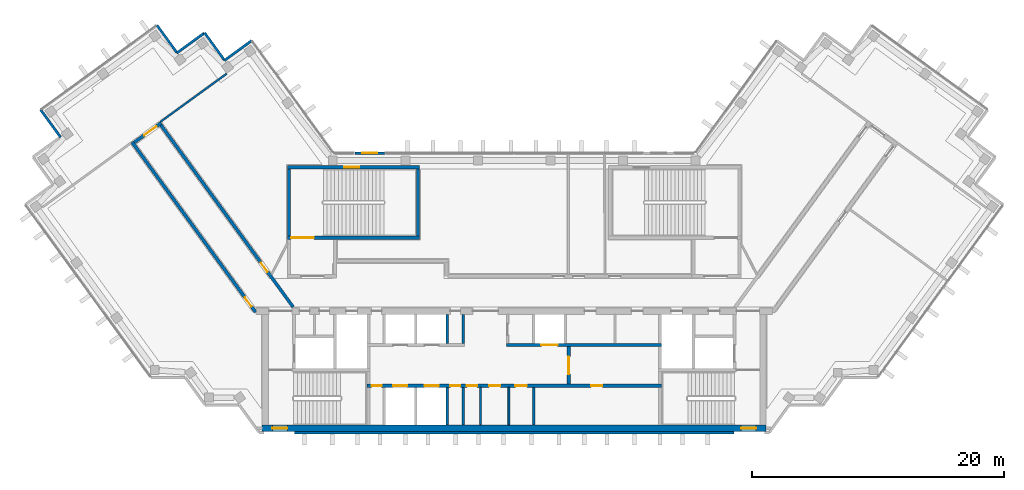
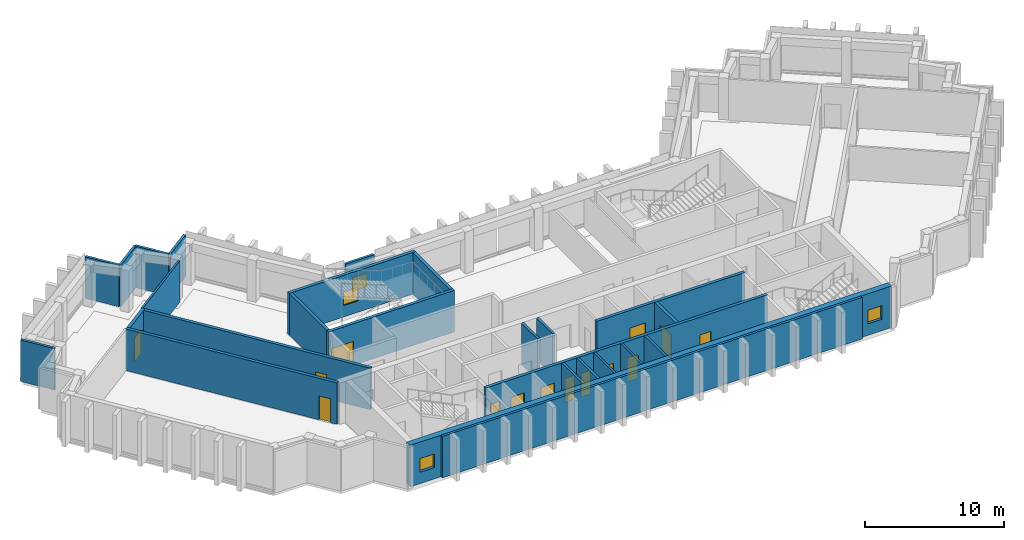
# One storey, part 4 of 8: 26 walls, 14 doors, 4 windows, 18 openings.
"""IFC4 building model written with IfcOpenShell, lengths in metres."""

from ifc_helpers import new_model, si_unit, direction, frame, frame_2d, origin, place, context, subcontext, project, spatial, rectangle, extrude, material, layer, layer_set, type_object, element, fill, save


model = new_model("IFC4")

# Units and contexts
model_context = context("Model", 3, precision=1e-05, world=origin(), true_north=direction((0.0, 1.0)))
body_context = subcontext(model_context, "Body", "Model", "MODEL_VIEW")
ifc_project = project(units=[si_unit("LENGTHUNIT", "METRE"), si_unit("AREAUNIT", "SQUARE_METRE"), si_unit("VOLUMEUNIT", "CUBIC_METRE"), si_unit("PLANEANGLEUNIT", "RADIAN"), si_unit("MASSUNIT", "GRAM", prefix="KILO")], contexts=[model_context])

# Site, building, storey
site_placement = place(None, origin())
site = spatial("IfcSite", under=ifc_project, at=site_placement, CompositionType="ELEMENT")
building_placement = place(site_placement, origin())
building = spatial("IfcBuilding", under=site, at=building_placement, Name="Quipu Civic Tower", CompositionType="ELEMENT")
storey_placement = place(building_placement, frame((0.0, 0.0, 343.0)))
storey = spatial("IfcBuildingStorey", under=building, at=storey_placement, Name="L80", CompositionType="ELEMENT", Elevation=343.0)

# Wall
ifc_material_1 = material(Name="Double gypsum plasterboard with mineral wool")
ifc_layer_1 = layer(ifc_material_1, 0.14990234375)
ifc_layer_set_1 = layer_set([ifc_layer_1], Name="Double gypsum plasterboard with mineral wool")
wall_type_1 = type_object("IfcWallType", Name="Acoustic partition 150 plasterboard", PredefinedType="PARTITIONING", material=ifc_layer_set_1)
wall_1_placement = place(storey_placement, frame((-22.818359375, 17.39599609375, 0.0), z_axis=(0.0, 0.0, 1.0), x_axis=(-0.809000932727, -0.587807358619, 0.0)))
element("IfcWall", 1, at=wall_1_placement, inside=storey, type_object=wall_type_1, Name="Partition P04", PredefinedType="PARTITIONING", context=body_context, shape_type="SweptSolid", body=[
    extrude(rectangle(XDim=6.49560546875, YDim=0.14990234375, at=frame_2d((3.247802734375, 0.0))), origin(), (0.0, 0.0, 1.0), 3.64990234375),
])

# Wall, openings, doors
ifc_material_2 = material(Name="Concrete C70/85", Category="concrete")
ifc_layer_2 = layer(ifc_material_2, 0.25)
ifc_layer_set_2 = layer_set([ifc_layer_2], Name="Concrete C70/85")
wall_type_2 = type_object("IfcWallType", Name="Core wall 250", PredefinedType="SHEAR", material=ifc_layer_set_2)
wall_2_placement = place(storey_placement, frame((11.699951171875, -7.375, 0.0), z_axis=(0.0, 0.0, 1.0), x_axis=(-1.0, 0.0, 0.0)))
wall_2 = element("IfcWall", 2, at=wall_2_placement, inside=storey, type_object=wall_type_2, Name="Core wall", PredefinedType="SHEAR", context=body_context, shape_type="SweptSolid", body=[
    extrude(rectangle(XDim=23.39990234375, YDim=0.25, at=frame_2d((11.699951171875, 0.0))), origin(), (0.0, 0.0, 1.0), 3.64990234375),
])
opening_1_placement = place(wall_2_placement, frame((22.22509765625, 0.0, 0.0)))
opening_1 = element("IfcOpeningElement", 3, at=opening_1_placement, cuts=wall_2, Name="Opening CD-01", PredefinedType="OPENING", context=body_context, shape_type="SweptSolid", body=[
    extrude(rectangle(XDim=0.800048828125, YDim=2.10009765625, at=frame_2d((0.39990234375, 1.050048828125))), frame((0.0, 0.135009765625, 0.0), z_axis=(0.0, -1.0, 0.0), x_axis=(1.0, 0.0, 0.0)), (0.0, 0.0, 1.0), 0.27001953125),
])
opening_2_placement = place(wall_2_placement, frame((20.199951171875, 0.0, 0.0)))
opening_2 = element("IfcOpeningElement", 4, at=opening_2_placement, cuts=wall_2, Name="Opening LD-HL1", PredefinedType="OPENING", context=body_context, shape_type="SweptSolid", body=[
    extrude(rectangle(XDim=1.10009765625, YDim=2.10009765625, at=frame_2d((0.550048828125, 1.050048828125))), frame((0.0, 0.135009765625, 0.0), z_axis=(0.0, -1.0, 0.0), x_axis=(1.0, 0.0, 0.0)), (0.0, 0.0, 1.0), 0.27001953125),
])
opening_3_placement = place(wall_2_placement, frame((17.699951171875, 0.0, 0.0)))
opening_3 = element("IfcOpeningElement", 5, at=opening_3_placement, cuts=wall_2, Name="Opening LD-HL2", PredefinedType="OPENING", context=body_context, shape_type="SweptSolid", body=[
    extrude(rectangle(XDim=1.10009765625, YDim=2.10009765625, at=frame_2d((0.550048828125, 1.050048828125))), frame((0.0, 0.135009765625, 0.0), z_axis=(0.0, -1.0, 0.0), x_axis=(1.0, 0.0, 0.0)), (0.0, 0.0, 1.0), 0.27001953125),
])
opening_4_placement = place(wall_2_placement, frame((15.97509765625, 0.0, 0.0)))
opening_4 = element("IfcOpeningElement", 6, at=opening_4_placement, cuts=wall_2, Name="Opening CD-02", PredefinedType="OPENING", context=body_context, shape_type="SweptSolid", body=[
    extrude(rectangle(XDim=0.800048828125, YDim=2.10009765625, at=frame_2d((0.39990234375, 1.050048828125))), frame((0.0, 0.135009765625, 0.0), z_axis=(0.0, -1.0, 0.0), x_axis=(1.0, 0.0, 0.0)), (0.0, 0.0, 1.0), 0.27001953125),
])
opening_5_placement = place(wall_2_placement, frame((14.64990234375, 0.0, 0.0)))
opening_5 = element("IfcOpeningElement", 7, at=opening_5_placement, cuts=wall_2, Name="Opening CD-03", PredefinedType="OPENING", context=body_context, shape_type="SweptSolid", body=[
    extrude(rectangle(XDim=0.800048828125, YDim=2.10009765625, at=frame_2d((0.39990234375, 1.050048828125))), frame((0.0, 0.135009765625, 0.0), z_axis=(0.0, -1.0, 0.0), x_axis=(1.0, 0.0, 0.0)), (0.0, 0.0, 1.0), 0.27001953125),
])
opening_6_placement = place(wall_2_placement, frame((12.800048828125, 0.0, 0.0)))
opening_6 = element("IfcOpeningElement", 8, at=opening_6_placement, cuts=wall_2, Name="Opening CD-04", PredefinedType="OPENING", context=body_context, shape_type="SweptSolid", body=[
    extrude(rectangle(XDim=0.89990234375, YDim=2.10009765625, at=frame_2d((0.449951171875, 1.050048828125))), frame((0.0, 0.135009765625, 0.0), z_axis=(0.0, -1.0, 0.0), x_axis=(1.0, 0.0, 0.0)), (0.0, 0.0, 1.0), 0.27001953125),
])
opening_7_placement = place(wall_2_placement, frame((10.699951171875, 0.0, 0.0)))
opening_7 = element("IfcOpeningElement", 9, at=opening_7_placement, cuts=wall_2, Name="Opening CD-05", PredefinedType="OPENING", context=body_context, shape_type="SweptSolid", body=[
    extrude(rectangle(XDim=0.89990234375, YDim=2.10009765625, at=frame_2d((0.449951171875, 1.050048828125))), frame((0.0, 0.135009765625, 0.0), z_axis=(0.0, -1.0, 0.0), x_axis=(1.0, 0.0, 0.0)), (0.0, 0.0, 1.0), 0.27001953125),
])
opening_8_placement = place(wall_2_placement, frame((4.699951171875, 0.0, 0.0)))
opening_8 = element("IfcOpeningElement", 10, at=opening_8_placement, cuts=wall_2, Name="Opening CD-06", PredefinedType="OPENING", context=body_context, shape_type="SweptSolid", body=[
    extrude(rectangle(XDim=0.89990234375, YDim=2.10009765625, at=frame_2d((0.449951171875, 1.050048828125))), frame((0.0, 0.135009765625, 0.0), z_axis=(0.0, -1.0, 0.0), x_axis=(1.0, 0.0, 0.0)), (0.0, 0.0, 1.0), 0.27001953125),
])
ifc_material_3 = material(Name="Fire rated steel door", Category="steel")
door_type_1 = type_object("IfcDoorType", Name="Fire door FD60 800 x 2100", OperationType="NOTDEFINED", PredefinedType="DOOR", material=ifc_material_3)
door_1_placement = place(opening_1_placement, origin())
door_1 = element("IfcDoor", 11, at=door_1_placement, inside=storey, type_object=door_type_1, Name="Door", OperationType="SINGLE_SWING_RIGHT", OverallHeight=2.10009765625, OverallWidth=0.800048828125, PredefinedType="DOOR", context=body_context, shape_type="SweptSolid", body=[
    extrude(rectangle(XDim=0.800048828125, YDim=2.10009765625, at=frame_2d((0.39990234375, 1.050048828125))), frame((0.0, 0.02490234375, 0.0), z_axis=(0.0, -1.0, 0.0), x_axis=(1.0, 0.0, 0.0)), (0.0, 0.0, 1.0), 0.050048828125),
])
fill(opening_1, door_1)
door_2_placement = place(opening_4_placement, origin())
door_2 = element("IfcDoor", 12, at=door_2_placement, inside=storey, type_object=door_type_1, Name="Door", OperationType="SINGLE_SWING_RIGHT", OverallHeight=2.10009765625, OverallWidth=0.800048828125, PredefinedType="DOOR", context=body_context, shape_type="SweptSolid", body=[
    extrude(rectangle(XDim=0.800048828125, YDim=2.10009765625, at=frame_2d((0.39990234375, 1.050048828125))), frame((0.0, 0.02490234375, 0.0), z_axis=(0.0, -1.0, 0.0), x_axis=(1.0, 0.0, 0.0)), (0.0, 0.0, 1.0), 0.050048828125),
])
fill(opening_4, door_2)
door_3_placement = place(opening_5_placement, origin())
door_3 = element("IfcDoor", 13, at=door_3_placement, inside=storey, type_object=door_type_1, Name="Door", OperationType="SINGLE_SWING_RIGHT", OverallHeight=2.10009765625, OverallWidth=0.800048828125, PredefinedType="DOOR", context=body_context, shape_type="SweptSolid", body=[
    extrude(rectangle(XDim=0.800048828125, YDim=2.10009765625, at=frame_2d((0.39990234375, 1.050048828125))), frame((0.0, 0.02490234375, 0.0), z_axis=(0.0, -1.0, 0.0), x_axis=(1.0, 0.0, 0.0)), (0.0, 0.0, 1.0), 0.050048828125),
])
fill(opening_5, door_3)
ifc_material_4 = material(Name="Fire rated steel door", Category="steel")
door_type_2 = type_object("IfcDoorType", Name="Fire door FD60 900 x 2100", OperationType="NOTDEFINED", PredefinedType="DOOR", material=ifc_material_4)
door_4_placement = place(opening_6_placement, origin())
door_4 = element("IfcDoor", 14, at=door_4_placement, inside=storey, type_object=door_type_2, Name="WC door", OperationType="SINGLE_SWING_RIGHT", OverallHeight=2.10009765625, OverallWidth=0.89990234375, PredefinedType="DOOR", context=body_context, shape_type="SweptSolid", body=[
    extrude(rectangle(XDim=0.89990234375, YDim=2.10009765625, at=frame_2d((0.449951171875, 1.050048828125))), frame((0.0, 0.02490234375, 0.0), z_axis=(0.0, -1.0, 0.0), x_axis=(1.0, 0.0, 0.0)), (0.0, 0.0, 1.0), 0.050048828125),
])
fill(opening_6, door_4)
door_5_placement = place(opening_7_placement, origin())
door_5 = element("IfcDoor", 15, at=door_5_placement, inside=storey, type_object=door_type_2, Name="WC door", OperationType="SINGLE_SWING_LEFT", OverallHeight=2.10009765625, OverallWidth=0.89990234375, PredefinedType="DOOR", context=body_context, shape_type="SweptSolid", body=[
    extrude(rectangle(XDim=0.89990234375, YDim=2.10009765625, at=frame_2d((0.449951171875, 1.050048828125))), frame((0.0, 0.02490234375, 0.0), z_axis=(0.0, -1.0, 0.0), x_axis=(1.0, 0.0, 0.0)), (0.0, 0.0, 1.0), 0.050048828125),
])
fill(opening_7, door_5)
door_6_placement = place(opening_8_placement, origin())
door_6 = element("IfcDoor", 16, at=door_6_placement, inside=storey, type_object=door_type_2, Name="Door", OperationType="SINGLE_SWING_LEFT", OverallHeight=2.10009765625, OverallWidth=0.89990234375, PredefinedType="DOOR", context=body_context, shape_type="SweptSolid", body=[
    extrude(rectangle(XDim=0.89990234375, YDim=2.10009765625, at=frame_2d((0.449951171875, 1.050048828125))), frame((0.0, 0.02490234375, 0.0), z_axis=(0.0, -1.0, 0.0), x_axis=(1.0, 0.0, 0.0)), (0.0, 0.0, 1.0), 0.050048828125),
])
fill(opening_8, door_6)
ifc_material_5 = material(Name="Stainless steel", Category="steel")
door_type_3 = type_object("IfcDoorType", Name="Lift landing door 1100 x 2100", OperationType="DOUBLE_DOOR_SLIDING", PredefinedType="DOOR", material=ifc_material_5)
door_7_placement = place(opening_2_placement, origin())
door_7 = element("IfcDoor", 17, at=door_7_placement, inside=storey, type_object=door_type_3, Name="Landing door HL1", OperationType="DOUBLE_DOOR_SLIDING", OverallHeight=2.10009765625, OverallWidth=1.10009765625, PredefinedType="DOOR", context=body_context, shape_type="SweptSolid", body=[
    extrude(rectangle(XDim=1.10009765625, YDim=2.10009765625, at=frame_2d((0.550048828125, 1.050048828125))), frame((0.0, 0.02490234375, 0.0), z_axis=(0.0, -1.0, 0.0), x_axis=(1.0, 0.0, 0.0)), (0.0, 0.0, 1.0), 0.050048828125),
])
fill(opening_2, door_7)
door_8_placement = place(opening_3_placement, origin())
door_8 = element("IfcDoor", 18, at=door_8_placement, inside=storey, type_object=door_type_3, Name="Landing door HL2", OperationType="DOUBLE_DOOR_SLIDING", OverallHeight=2.10009765625, OverallWidth=1.10009765625, PredefinedType="DOOR", context=body_context, shape_type="SweptSolid", body=[
    extrude(rectangle(XDim=1.10009765625, YDim=2.10009765625, at=frame_2d((0.550048828125, 1.050048828125))), frame((0.0, 0.02490234375, 0.0), z_axis=(0.0, -1.0, 0.0), x_axis=(1.0, 0.0, 0.0)), (0.0, 0.0, 1.0), 0.050048828125),
])
fill(opening_3, door_8)

# Wall, opening, door
wall_3_placement = place(storey_placement, frame((4.324951171875, -7.25, 0.0), z_axis=(0.0, 0.0, 1.0), x_axis=(0.0, 1.0, 0.0)))
wall_3 = element("IfcWall", 19, at=wall_3_placement, inside=storey, type_object=wall_type_2, Name="Core wall", PredefinedType="SHEAR", context=body_context, shape_type="SweptSolid", body=[
    extrude(rectangle(XDim=3.0, YDim=0.25, at=frame_2d((1.5, 0.0))), origin(), (0.0, 0.0, 1.0), 3.64990234375),
])
opening_9_placement = place(wall_3_placement, frame((0.800048828125, 0.0, 0.0)))
opening_9 = element("IfcOpeningElement", 20, at=opening_9_placement, cuts=wall_3, Name="Opening CD-09", PredefinedType="OPENING", context=body_context, shape_type="SweptSolid", body=[
    extrude(rectangle(XDim=1.39990234375, YDim=2.10009765625, at=frame_2d((0.699951171875, 1.050048828125))), frame((0.0, 0.135009765625, 0.0), z_axis=(0.0, -1.0, 0.0), x_axis=(1.0, 0.0, 0.0)), (0.0, 0.0, 1.0), 0.27001953125),
])
ifc_material_6 = material(Name="Fire rated steel door", Category="steel")
door_type_4 = type_object("IfcDoorType", Name="Fire door FD60 double 1400 x 2100", OperationType="NOTDEFINED", PredefinedType="DOOR", material=ifc_material_6)
door_9_placement = place(opening_9_placement, origin())
door_9 = element("IfcDoor", 21, at=door_9_placement, inside=storey, type_object=door_type_4, Name="Hall door", OperationType="DOUBLE_DOOR_SINGLE_SWING", OverallHeight=2.10009765625, OverallWidth=1.39990234375, PredefinedType="DOOR", context=body_context, shape_type="SweptSolid", body=[
    extrude(rectangle(XDim=1.39990234375, YDim=2.10009765625, at=frame_2d((0.699951171875, 1.050048828125))), frame((0.0, 0.02490234375, 0.0), z_axis=(0.0, -1.0, 0.0), x_axis=(1.0, 0.0, 0.0)), (0.0, 0.0, 1.0), 0.050048828125),
])
fill(opening_9, door_9)

wall_4_placement = place(storey_placement, frame((-0.60009765625, -4.125, 0.0), z_axis=(0.0, 0.0, 1.0), x_axis=(1.0, 0.0, 0.0)))
wall_4 = element("IfcWall", 22, at=wall_4_placement, inside=storey, type_object=wall_type_2, Name="Core wall", PredefinedType="SHEAR", context=body_context, shape_type="SweptSolid", body=[
    extrude(rectangle(XDim=12.300048828125, YDim=0.25, at=frame_2d((6.14990234375, 0.0))), origin(), (0.0, 0.0, 1.0), 3.64990234375),
])
opening_10_placement = place(wall_4_placement, frame((2.75, 0.0, 0.0)))
opening_10 = element("IfcOpeningElement", 23, at=opening_10_placement, cuts=wall_4, Name="Opening LD-FF3", PredefinedType="OPENING", context=body_context, shape_type="SweptSolid", body=[
    extrude(rectangle(XDim=1.300048828125, YDim=2.10009765625, at=frame_2d((0.64990234375, 1.050048828125))), frame((0.0, 0.135009765625, 0.0), z_axis=(0.0, -1.0, 0.0), x_axis=(1.0, 0.0, 0.0)), (0.0, 0.0, 1.0), 0.27001953125),
])
ifc_material_7 = material(Name="Stainless steel", Category="steel")
door_type_5 = type_object("IfcDoorType", Name="Lift landing door 1300 x 2100", OperationType="DOUBLE_DOOR_SLIDING", PredefinedType="DOOR", material=ifc_material_7)
door_10_placement = place(opening_10_placement, origin())
door_10 = element("IfcDoor", 24, at=door_10_placement, inside=storey, type_object=door_type_5, Name="Landing door FF3", OperationType="DOUBLE_DOOR_SLIDING", OverallHeight=2.10009765625, OverallWidth=1.300048828125, PredefinedType="DOOR", context=body_context, shape_type="SweptSolid", body=[
    extrude(rectangle(XDim=1.300048828125, YDim=2.10009765625, at=frame_2d((0.64990234375, 1.050048828125))), frame((0.0, 0.02490234375, 0.0), z_axis=(0.0, -1.0, 0.0), x_axis=(1.0, 0.0, 0.0)), (0.0, 0.0, 1.0), 0.050048828125),
])
fill(opening_10, door_10)

wall_5_placement = place(storey_placement, frame((-18.0, 4.375, 0.0), z_axis=(0.0, 0.0, 1.0), x_axis=(1.0, 0.0, 0.0)))
wall_5 = element("IfcWall", 25, at=wall_5_placement, inside=storey, type_object=wall_type_2, Name="Core wall", PredefinedType="SHEAR", context=body_context, shape_type="SweptSolid", body=[
    extrude(rectangle(XDim=10.5, YDim=0.25, at=frame_2d((5.25, 0.0))), origin(), (0.0, 0.0, 1.0), 3.64990234375),
])
opening_11_placement = place(wall_5_placement, frame((0.300048828125, 0.0, 0.0)))
opening_11 = element("IfcOpeningElement", 26, at=opening_11_placement, cuts=wall_5, Name="Opening CD-24", PredefinedType="OPENING", context=body_context, shape_type="SweptSolid", body=[
    extrude(rectangle(XDim=1.800048828125, YDim=2.10009765625, at=frame_2d((0.89990234375, 1.050048828125))), frame((0.0, 0.135009765625, 0.0), z_axis=(0.0, -1.0, 0.0), x_axis=(1.0, 0.0, 0.0)), (0.0, 0.0, 1.0), 0.27001953125),
])
ifc_material_8 = material(Name="Fire rated steel door", Category="steel")
door_type_6 = type_object("IfcDoorType", Name="Fire door FD90 double 1800 x 2100", OperationType="NOTDEFINED", PredefinedType="DOOR", material=ifc_material_8)
door_11_placement = place(opening_11_placement, origin())
door_11 = element("IfcDoor", 27, at=door_11_placement, inside=storey, type_object=door_type_6, Name="Door", OperationType="DOUBLE_DOOR_SINGLE_SWING", OverallHeight=2.10009765625, OverallWidth=1.800048828125, PredefinedType="DOOR", context=body_context, shape_type="SweptSolid", body=[
    extrude(rectangle(XDim=1.800048828125, YDim=2.10009765625, at=frame_2d((0.89990234375, 1.050048828125))), frame((0.0, 0.02490234375, 0.0), z_axis=(0.0, -1.0, 0.0), x_axis=(1.0, 0.0, 0.0)), (0.0, 0.0, 1.0), 0.050048828125),
])
fill(opening_11, door_11)

# Walls
for number, where, z_axis, x_axis, name in (
    (28, (-17.875, 4.5, 0.0), (0.0, 0.0, 1.0), (0.0, 1.0, 0.0), "Core wall"),
    (29, (-7.625, 4.5, 0.0), (0.0, 0.0, 1.0), (0.0, 1.0, 0.0), "Core wall"),
):
    element("IfcWall", number, at=place(storey_placement, frame(where, z_axis=z_axis, x_axis=x_axis)), inside=storey, type_object=wall_type_2, Name=name, PredefinedType="SHEAR", context=body_context, shape_type="SweptSolid", body=[
        extrude(rectangle(XDim=5.35009765625, YDim=0.25, at=frame_2d((2.675048828125, 0.0))), origin(), (0.0, 0.0, 1.0), 3.64990234375),
    ])

# Wall, opening, window
wall_6_placement = place(storey_placement, frame((-18.0, 9.97509765625, 0.0), z_axis=(0.0, 0.0, 1.0), x_axis=(1.0, 0.0, 0.0)))
wall_6 = element("IfcWall", 30, at=wall_6_placement, inside=storey, type_object=wall_type_2, Name="Core wall", PredefinedType="SHEAR", context=body_context, shape_type="SweptSolid", body=[
    extrude(rectangle(XDim=10.5, YDim=0.25, at=frame_2d((5.25, 0.0))), origin(), (0.0, 0.0, 1.0), 3.64990234375),
])
opening_12_placement = place(wall_6_placement, frame((4.5, 0.0, 1.0)))
opening_12 = element("IfcOpeningElement", 31, at=opening_12_placement, cuts=wall_6, Name="Opening SV-3", PredefinedType="OPENING", context=body_context, shape_type="SweptSolid", body=[
    extrude(rectangle(XDim=1.199951171875, YDim=1.199951171875, at=frame_2d((0.60009765625, 0.60009765625))), frame((0.0, 0.135009765625, 0.0), z_axis=(0.0, -1.0, 0.0), x_axis=(1.0, 0.0, 0.0)), (0.0, 0.0, 1.0), 0.27001953125),
])
ifc_material_9 = material(Name="Aluminium louvre", Category="aluminium")
window_type_1 = type_object("IfcWindowType", Name="Stair ventilation louvre 1200 x 1200", PartitioningType="SINGLE_PANEL", PredefinedType="WINDOW", material=ifc_material_9)
window_1_placement = place(opening_12_placement, origin())
window_1 = element("IfcWindow", 32, at=window_1_placement, inside=storey, type_object=window_type_1, Name="Stair ventilation opening", OverallHeight=1.199951171875, OverallWidth=1.199951171875, PartitioningType="SINGLE_PANEL", PredefinedType="WINDOW", context=body_context, shape_type="SweptSolid", body=[
    extrude(rectangle(XDim=1.199951171875, YDim=1.199951171875, at=frame_2d((0.60009765625, 0.60009765625))), frame((0.0, 0.030029296875, 0.0), z_axis=(0.0, -1.0, 0.0), x_axis=(1.0, 0.0, 0.0)), (0.0, 0.0, 1.0), 0.06005859375),
])
fill(opening_12, window_1)

# Wall, openings, windows
ifc_material_10 = material(Name="Concrete C70/85", Category="concrete")
ifc_layer_3 = layer(ifc_material_10, 0.5)
ifc_layer_set_3 = layer_set([ifc_layer_3], Name="Concrete C70/85")
wall_type_3 = type_object("IfcWallType", Name="Core wall 500", PredefinedType="SHEAR", material=ifc_layer_set_3)
wall_7_placement = place(storey_placement, frame((-20.0, -10.75, 0.0), z_axis=(0.0, 0.0, 1.0), x_axis=(1.0, 0.0, 0.0)))
wall_7 = element("IfcWall", 33, at=wall_7_placement, inside=storey, type_object=wall_type_3, Name="Core wall", PredefinedType="SHEAR", context=body_context, shape_type="SweptSolid", body=[
    extrude(rectangle(XDim=40.0, YDim=0.5, at=frame_2d((20.0, 0.0))), origin(), (0.0, 0.0, 1.0), 3.64990234375),
])
opening_13_placement = place(wall_7_placement, frame((0.800048828125, 0.0, 1.0)))
opening_13 = element("IfcOpeningElement", 34, at=opening_13_placement, cuts=wall_7, Name="Opening SV-1", PredefinedType="OPENING", context=body_context, shape_type="SweptSolid", body=[
    extrude(rectangle(XDim=1.199951171875, YDim=1.199951171875, at=frame_2d((0.60009765625, 0.60009765625))), frame((0.0, 0.260009765625, 0.0), z_axis=(0.0, -1.0, 0.0), x_axis=(1.0, 0.0, 0.0)), (0.0, 0.0, 1.0), 0.52001953125),
])
opening_14_placement = place(wall_7_placement, frame((38.0, 0.0, 1.0)))
opening_14 = element("IfcOpeningElement", 35, at=opening_14_placement, cuts=wall_7, Name="Opening SV-2", PredefinedType="OPENING", context=body_context, shape_type="SweptSolid", body=[
    extrude(rectangle(XDim=1.199951171875, YDim=1.199951171875, at=frame_2d((0.60009765625, 0.60009765625))), frame((0.0, 0.260009765625, 0.0), z_axis=(0.0, -1.0, 0.0), x_axis=(1.0, 0.0, 0.0)), (0.0, 0.0, 1.0), 0.52001953125),
])
window_2_placement = place(opening_13_placement, origin())
window_2 = element("IfcWindow", 36, at=window_2_placement, inside=storey, type_object=window_type_1, Name="Stair ventilation opening", OverallHeight=1.199951171875, OverallWidth=1.199951171875, PartitioningType="SINGLE_PANEL", PredefinedType="WINDOW", context=body_context, shape_type="SweptSolid", body=[
    extrude(rectangle(XDim=1.199951171875, YDim=1.199951171875, at=frame_2d((0.60009765625, 0.60009765625))), frame((0.0, 0.030029296875, 0.0), z_axis=(0.0, -1.0, 0.0), x_axis=(1.0, 0.0, 0.0)), (0.0, 0.0, 1.0), 0.06005859375),
])
fill(opening_13, window_2)
window_3_placement = place(opening_14_placement, origin())
window_3 = element("IfcWindow", 37, at=window_3_placement, inside=storey, type_object=window_type_1, Name="Stair ventilation opening", OverallHeight=1.199951171875, OverallWidth=1.199951171875, PartitioningType="SINGLE_PANEL", PredefinedType="WINDOW", context=body_context, shape_type="SweptSolid", body=[
    extrude(rectangle(XDim=1.199951171875, YDim=1.199951171875, at=frame_2d((0.60009765625, 0.60009765625))), frame((0.0, 0.030029296875, 0.0), z_axis=(0.0, -1.0, 0.0), x_axis=(1.0, 0.0, 0.0)), (0.0, 0.0, 1.0), 0.06005859375),
])
fill(opening_14, window_3)

# Wall, opening, door
ifc_material_11 = material(Name="Concrete C50/60", Category="concrete")
ifc_layer_4 = layer(ifc_material_11, 0.25)
ifc_layer_set_4 = layer_set([ifc_layer_4], Name="Concrete C50/60")
wall_type_4 = type_object("IfcWallType", Name="Corridor wall 250 concrete", PredefinedType="SOLIDWALL", material=ifc_layer_set_4)
wall_8_placement = place(storey_placement, frame((-20.531005859375, -1.5234375, 0.0), z_axis=(0.0, 0.0, 1.0), x_axis=(-0.587785867777, 0.809016547199, 0.0)))
wall_8 = element("IfcWall", 38, at=wall_8_placement, inside=storey, type_object=wall_type_4, Name="Corridor wall C04", PredefinedType="SOLIDWALL", context=body_context, shape_type="SweptSolid", body=[
    extrude(rectangle(XDim=16.67041015625, YDim=0.25, at=frame_2d((8.335205078125, 0.0))), origin(), (0.0, 0.0, 1.0), 3.64990234375),
])
opening_15_placement = place(wall_8_placement, frame((0.53271484375, 0.0, 0.0)))
opening_15 = element("IfcOpeningElement", 39, at=opening_15_placement, cuts=wall_8, Name="Opening D009", PredefinedType="OPENING", context=body_context, shape_type="SweptSolid", body=[
    extrude(rectangle(XDim=0.89990234375, YDim=2.10009765625, at=frame_2d((0.449951171875, 1.050048828125))), frame((0.0, 0.135009765625, 0.0), z_axis=(0.0, -1.0, 0.0), x_axis=(1.0, 0.0, 0.0)), (0.0, 0.0, 1.0), 0.27001953125),
])
ifc_material_12 = material(Name="Fire rated timber door set with metal frame", Category="wood")
door_type_7 = type_object("IfcDoorType", Name="Single door 900 x 2100 FD60", OperationType="NOTDEFINED", PredefinedType="DOOR", material=ifc_material_12)
door_12_placement = place(opening_15_placement, origin())
door_12 = element("IfcDoor", 40, at=door_12_placement, inside=storey, type_object=door_type_7, Name="Door D009", OperationType="SINGLE_SWING_LEFT", OverallHeight=2.10009765625, OverallWidth=0.89990234375, PredefinedType="DOOR", context=body_context, shape_type="SweptSolid", body=[
    extrude(rectangle(XDim=0.89990234375, YDim=2.10009765625, at=frame_2d((0.449951171875, 1.050048828125))), frame((0.0, 0.02490234375, 0.0), z_axis=(0.0, -1.0, 0.0), x_axis=(1.0, 0.0, 0.0)), (0.0, 0.0, 1.0), 0.050048828125),
])
fill(opening_15, door_12)

wall_9_placement = place(storey_placement, frame((-30.155029296875, 11.935546875, 0.0), z_axis=(0.0, 0.0, 1.0), x_axis=(0.809038743598, 0.587755315891, 0.0)))
wall_9 = element("IfcWall", 41, at=wall_9_placement, inside=storey, type_object=wall_type_4, Name="Corridor wall C05", PredefinedType="SOLIDWALL", context=body_context, shape_type="SweptSolid", body=[
    extrude(rectangle(XDim=2.650146484375, YDim=0.25, at=frame_2d((1.3251953125, 0.0))), origin(), (0.0, 0.0, 1.0), 3.64990234375),
])
opening_16_placement = place(wall_9_placement, frame((0.9755859375, 0.0, 0.0)))
opening_16 = element("IfcOpeningElement", 42, at=opening_16_placement, cuts=wall_9, Name="Opening D010", PredefinedType="OPENING", context=body_context, shape_type="SweptSolid", body=[
    extrude(rectangle(XDim=1.199951171875, YDim=2.10009765625, at=frame_2d((0.60009765625, 1.050048828125))), frame((0.0, 0.135009765625, 0.0), z_axis=(0.0, -1.0, 0.0), x_axis=(1.0, 0.0, 0.0)), (0.0, 0.0, 1.0), 0.27001953125),
])
ifc_material_13 = material(Name="Fire rated timber door set with metal frame", Category="wood")
door_type_8 = type_object("IfcDoorType", Name="Single door 1200 x 2100 FD60", OperationType="NOTDEFINED", PredefinedType="DOOR", material=ifc_material_13)
door_13_placement = place(opening_16_placement, origin())
door_13 = element("IfcDoor", 43, at=door_13_placement, inside=storey, type_object=door_type_8, Name="Door D010", OperationType="SINGLE_SWING_RIGHT", OverallHeight=2.10009765625, OverallWidth=1.199951171875, PredefinedType="DOOR", context=body_context, shape_type="SweptSolid", body=[
    extrude(rectangle(XDim=1.199951171875, YDim=2.10009765625, at=frame_2d((0.60009765625, 1.050048828125))), frame((0.0, 0.02490234375, 0.0), z_axis=(0.0, -1.0, 0.0), x_axis=(1.0, 0.0, 0.0)), (0.0, 0.0, 1.0), 0.050048828125),
])
fill(opening_16, door_13)

wall_10_placement = place(storey_placement, frame((-28.038818359375, 13.318603515625, 0.0), z_axis=(0.0, 0.0, 1.0), x_axis=(0.587791911753, -0.809012155952, 0.0)))
wall_10 = element("IfcWall", 44, at=wall_10_placement, inside=storey, type_object=wall_type_4, Name="Corridor wall C06", PredefinedType="SOLIDWALL", context=body_context, shape_type="SweptSolid", body=[
    extrude(rectangle(XDim=17.85302734375, YDim=0.25, at=frame_2d((8.926513671875, 0.0))), origin(), (0.0, 0.0, 1.0), 3.64990234375),
])
opening_17_placement = place(wall_10_placement, frame((13.51171875, 0.0, 0.0)))
opening_17 = element("IfcOpeningElement", 45, at=opening_17_placement, cuts=wall_10, Name="Opening D008", PredefinedType="OPENING", context=body_context, shape_type="SweptSolid", body=[
    extrude(rectangle(XDim=0.89990234375, YDim=2.10009765625, at=frame_2d((0.449951171875, 1.050048828125))), frame((0.0, 0.135009765625, 0.0), z_axis=(0.0, -1.0, 0.0), x_axis=(1.0, 0.0, 0.0)), (0.0, 0.0, 1.0), 0.27001953125),
])
door_14_placement = place(opening_17_placement, origin())
door_14 = element("IfcDoor", 46, at=door_14_placement, inside=storey, type_object=door_type_7, Name="Door D008", OperationType="SINGLE_SWING_RIGHT", OverallHeight=2.10009765625, OverallWidth=0.89990234375, PredefinedType="DOOR", context=body_context, shape_type="SweptSolid", body=[
    extrude(rectangle(XDim=0.89990234375, YDim=2.10009765625, at=frame_2d((0.449951171875, 1.050048828125))), frame((0.0, 0.02490234375, 0.0), z_axis=(0.0, -1.0, 0.0), x_axis=(1.0, 0.0, 0.0)), (0.0, 0.0, 1.0), 0.050048828125),
])
fill(opening_17, door_14)

# Walls
ifc_material_14 = material(Name="Gypsum board partition")
ifc_layer_5 = layer(ifc_material_14, 0.14990234375)
ifc_layer_set_5 = layer_set([ifc_layer_5], Name="Gypsum board partition")
wall_type_5 = type_object("IfcWallType", Name="Partition 150", PredefinedType="PARTITIONING", material=ifc_layer_set_5)
for number, where, z_axis, x_axis, name in (
    (47, (-2.675048828125, -10.5, 0.0), (0.0, 0.0, 1.0), (0.0, 1.0, 0.0), "Partition"),
    (48, (-0.425048828125, -10.5, 0.0), (0.0, 0.0, 1.0), (0.0, 1.0, 0.0), "Partition"),
):
    element("IfcWall", number, at=place(storey_placement, frame(where, z_axis=z_axis, x_axis=x_axis)), inside=storey, type_object=wall_type_5, Name=name, PredefinedType="PARTITIONING", context=body_context, shape_type="SweptSolid", body=[
        extrude(rectangle(XDim=3.0, YDim=0.14990234375, at=frame_2d((1.5, 0.0))), origin(), (0.0, 0.0, 1.0), 3.64990234375),
    ])
ifc_material_15 = material(Name="Precast concrete C40/50", Category="concrete")
wall_type_6 = type_object("IfcWallType", Name="Precast cladding wall", PredefinedType="SOLIDWALL", material=ifc_material_15)
for number, where, z_axis, x_axis, name in (
    (49, (-20.828857421875, 20.025390625, 0.0), (0.0, 0.0, 1.0), (-0.808990163075, -0.587822180636, 0.0), "Precast cladding wall L80 2"),
    (50, (-22.996337890625, 18.465576171875, 0.0), (0.0, 0.0, 1.0), (-0.587762999008, 0.809033161865, 0.0), "Precast cladding wall L80 3"),
):
    element("IfcWall", number, at=place(storey_placement, frame(where, z_axis=z_axis, x_axis=x_axis)), inside=storey, type_object=wall_type_6, Name=name, PredefinedType="SOLIDWALL", context=body_context, shape_type="SweptSolid", body=[
        extrude(rectangle(XDim=2.699951171875, YDim=0.199951171875, at=frame_2d((1.35009765625, 0.0))), origin(), (0.0, 0.0, 1.0), 3.64990234375),
    ])
for number, where, z_axis, x_axis, name in (
    (51, (-24.60009765625, 20.62255859375, 0.0), (0.0, 0.0, 1.0), (-0.809064397168, -0.587720002413, 0.0), "Precast cladding wall L80 4"),
    (52, (-26.767578125, 19.062744140625, 0.0), (0.0, 0.0, 1.0), (-0.587720002413, 0.809064397168, 0.0), "Precast cladding wall L80 5"),
):
    element("IfcWall", number, at=place(storey_placement, frame(where, z_axis=z_axis, x_axis=x_axis)), inside=storey, type_object=wall_type_6, Name=name, PredefinedType="SOLIDWALL", context=body_context, shape_type="SweptSolid", body=[
        extrude(rectangle(XDim=2.7001953125, YDim=0.199951171875, at=frame_2d((1.35009765625, 0.0))), origin(), (0.0, 0.0, 1.0), 3.64990234375),
    ])
wall_11_placement = place(storey_placement, frame((-37.591796875, 14.535888671875, 0.0), z_axis=(0.0, 0.0, 1.0), x_axis=(0.587762999008, -0.809033161865, 0.0)))
element("IfcWall", 53, at=wall_11_placement, inside=storey, type_object=wall_type_6, Name="Precast cladding wall L80 7", PredefinedType="SOLIDWALL", context=body_context, shape_type="SweptSolid", body=[
    extrude(rectangle(XDim=2.699951171875, YDim=0.199951171875, at=frame_2d((1.35009765625, 0.0))), origin(), (0.0, 0.0, 1.0), 3.64990234375),
])
wall_12_placement = place(storey_placement, frame((-17.44384765625, -11.087890625, 0.0), z_axis=(0.0, 0.0, 1.0), x_axis=(1.0, 0.0, 0.0)))
element("IfcWall", 54, at=wall_12_placement, inside=storey, type_object=wall_type_6, Name="Precast cladding wall L80 17", PredefinedType="SOLIDWALL", context=body_context, shape_type="SweptSolid", body=[
    extrude(rectangle(XDim=34.8876953125, YDim=0.199951171875, at=frame_2d((17.44384765625, 0.0))), origin(), (0.0, 0.0, 1.0), 3.64990234375),
])

# Wall, opening, window
wall_13_placement = place(storey_placement, frame((-10.263427734375, 11.10009765625, 0.0), z_axis=(0.0, 0.0, 1.0), x_axis=(-1.0, 0.0, 0.0)))
wall_13 = element("IfcWall", 55, at=wall_13_placement, inside=storey, type_object=wall_type_6, Name="Vent surround SF-L80-1", PredefinedType="SOLIDWALL", context=body_context, shape_type="SweptSolid", body=[
    extrude(rectangle(XDim=2.3916015625, YDim=0.199951171875, at=frame_2d((1.19580078125, 0.0))), origin(), (0.0, 0.0, 1.0), 3.64990234375),
])
opening_18_placement = place(wall_13_placement, frame((0.595703125, 0.0, 1.0)))
opening_18 = element("IfcOpeningElement", 56, at=opening_18_placement, cuts=wall_13, Name="Opening SF-L80-1", PredefinedType="OPENING", context=body_context, shape_type="SweptSolid", body=[
    extrude(rectangle(XDim=1.199951171875, YDim=1.199951171875, at=frame_2d((0.60009765625, 0.60009765625))), frame((0.0, 0.10986328125, 0.0), z_axis=(0.0, -1.0, 0.0), x_axis=(1.0, 0.0, 0.0)), (0.0, 0.0, 1.0), 0.219970703125),
])
ifc_material_16 = material(Name="Anodised aluminium louvre", Category="aluminium")
window_type_2 = type_object("IfcWindowType", Name="Stair vent louvre window P3", PartitioningType="SINGLE_PANEL", PredefinedType="WINDOW", material=ifc_material_16)
window_4_placement = place(opening_18_placement, origin())
window_4 = element("IfcWindow", 57, at=window_4_placement, inside=storey, type_object=window_type_2, Name="Stair vent louvre SF-L80-1", OverallHeight=1.199951171875, OverallWidth=1.199951171875, PartitioningType="SINGLE_PANEL", PredefinedType="WINDOW", context=body_context, shape_type="SweptSolid", body=[
    extrude(rectangle(XDim=1.199951171875, YDim=1.199951171875, at=frame_2d((0.60009765625, 0.60009765625))), frame((0.0, 0.030029296875, 0.0), z_axis=(0.0, -1.0, 0.0), x_axis=(1.0, 0.0, 0.0)), (0.0, 0.0, 1.0), 0.06005859375),
])
fill(opening_18, window_4)

# Walls
ifc_material_17 = material(Name="Concrete C40/50", Category="concrete")
ifc_layer_6 = layer(ifc_material_17, 0.199951171875)
ifc_layer_set_6 = layer_set([ifc_layer_6], Name="Concrete C40/50")
wall_type_7 = type_object("IfcWallType", Name="Shaft wall 200", PredefinedType="SOLIDWALL", material=ifc_layer_set_6)
for number, where, z_axis, x_axis, name in (
    (58, (-5.300048828125, -10.5, 0.0), (0.0, 0.0, 1.0), (0.0, 1.0, 0.0), "Shaft wall"),
    (59, (-4.050048828125, -10.5, 0.0), (0.0, 0.0, 1.0), (0.0, 1.0, 0.0), "Shaft wall"),
    (60, (1.550048828125, -10.5, 0.0), (0.0, 0.0, 1.0), (0.0, 1.0, 0.0), "Shaft wall"),
):
    element("IfcWall", number, at=place(storey_placement, frame(where, z_axis=z_axis, x_axis=x_axis)), inside=storey, type_object=wall_type_7, Name=name, PredefinedType="SOLIDWALL", context=body_context, shape_type="SweptSolid", body=[
        extrude(rectangle(XDim=3.0, YDim=0.199951171875, at=frame_2d((1.5, 0.0))), origin(), (0.0, 0.0, 1.0), 3.64990234375),
    ])
for number, where, z_axis, x_axis, name in (
    (61, (-5.300048828125, -4.0, 0.0), (0.0, 0.0, 1.0), (0.0, 1.0, 0.0), "Shaft wall"),
    (62, (-4.050048828125, -4.0, 0.0), (0.0, 0.0, 1.0), (0.0, 1.0, 0.0), "Shaft wall"),
):
    element("IfcWall", number, at=place(storey_placement, frame(where, z_axis=z_axis, x_axis=x_axis)), inside=storey, type_object=wall_type_7, Name=name, PredefinedType="SOLIDWALL", context=body_context, shape_type="SweptSolid", body=[
        extrude(rectangle(XDim=2.300048828125, YDim=0.199951171875, at=frame_2d((1.14990234375, 0.0))), origin(), (0.0, 0.0, 1.0), 3.64990234375),
    ])

save(model, "model.ifc")
